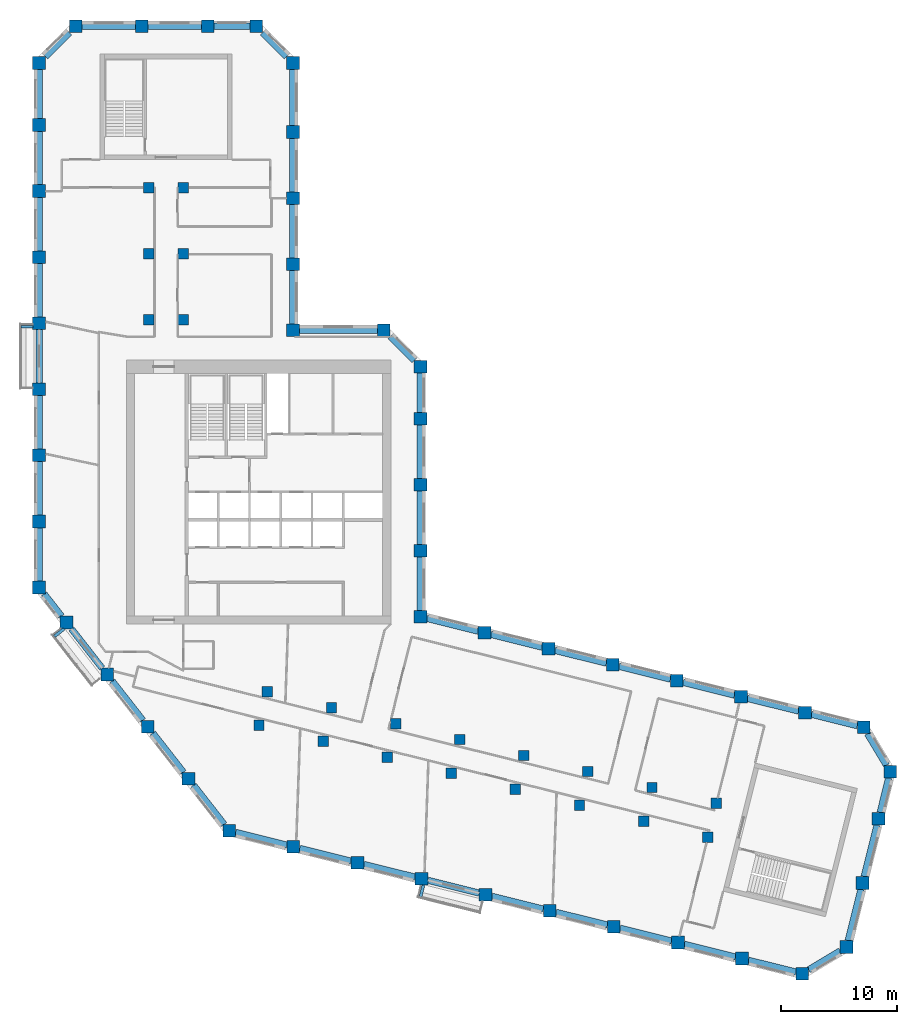
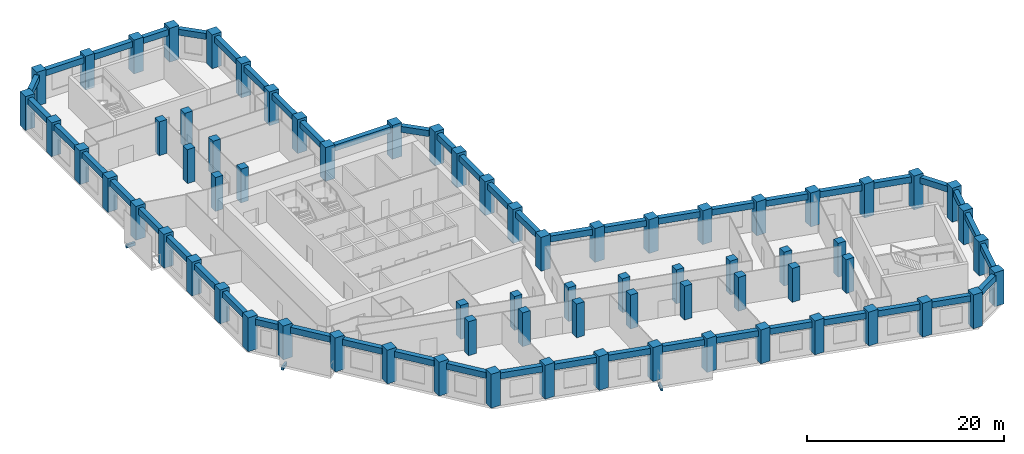
# One storey, part 1 of 10: 71 columns, 52 beams.
"""IFC4 building model written with IfcOpenShell, lengths in metres."""

from ifc_helpers import new_model, si_unit, direction, frame, origin, origin_2d, place, context, subcontext, project, spatial, rectangle, extrude, material, material_profile, profile_set, type_object, element, save


model = new_model("IFC4")

# Units and contexts
model_context = context("Model", 3, precision=1e-05, world=origin(), true_north=direction((0.0, 1.0)))
body_context = subcontext(model_context, "Body", "Model", "MODEL_VIEW")
ifc_project = project(units=[si_unit("LENGTHUNIT", "METRE"), si_unit("AREAUNIT", "SQUARE_METRE"), si_unit("VOLUMEUNIT", "CUBIC_METRE"), si_unit("PLANEANGLEUNIT", "RADIAN"), si_unit("MASSUNIT", "GRAM", prefix="KILO")], contexts=[model_context])

# Site, building, storey
site_placement = place(None, origin())
site = spatial("IfcSite", under=ifc_project, at=site_placement, CompositionType="ELEMENT")
building_placement = place(site_placement, origin())
building = spatial("IfcBuilding", under=site, at=building_placement, Name="Meshkara Civic Tower", CompositionType="ELEMENT")
storey_placement = place(building_placement, frame((0.0, 0.0, 255.0)))
storey = spatial("IfcBuildingStorey", under=building, at=storey_placement, Name="L58", CompositionType="ELEMENT", Elevation=255.0)

# Columns
ifc_material_1 = material(Name="Concrete C60", Category="concrete")
ifc_material_profile_1 = material_profile(ifc_material_1, rectangle(XDim=0.89990234375, YDim=0.89990234375, at=origin_2d()))
ifc_profile_set_1 = profile_set([ifc_material_profile_1], Name="Concrete C60")
column_type_1 = type_object("IfcColumnType", Name="Interior column RC 900x900 C60", PredefinedType="COLUMN", material=ifc_profile_set_1)
for number, where, z_axis, x_axis, name in (
    (1, (9.89990234375, 40.35009765625, 0.0), (0.0, 0.0, 1.0), (1.0, 0.0, 0.0), "Column SA1-04 L58"),
    (2, (9.89990234375, 46.050048828125, 0.0), (0.0, 0.0, 1.0), (1.0, 0.0, 0.0), "Column SA1-05 L58"),
    (3, (9.89990234375, 51.75, 0.0), (0.0, 0.0, 1.0), (1.0, 0.0, 0.0), "Column SA1-06 L58"),
    (4, (12.89990234375, 40.35009765625, 0.0), (0.0, 0.0, 1.0), (1.0, 0.0, 0.0), "Column SA2-04 L58"),
    (5, (12.89990234375, 46.050048828125, 0.0), (0.0, 0.0, 1.0), (1.0, 0.0, 0.0), "Column SA2-05 L58"),
    (6, (12.89990234375, 51.75, 0.0), (0.0, 0.0, 1.0), (1.0, 0.0, 0.0), "Column SA2-06 L58"),
    (7, (19.424072265625, 5.360107421875, 0.0), (0.0, 0.0, 1.0), (1.0, 0.0, 0.0), "Column SB1-00 L58"),
    (8, (24.9541015625, 3.98095703125, 0.0), (0.0, 0.0, 1.0), (1.0, 0.0, 0.0), "Column SB1-01 L58"),
    (9, (30.485107421875, 2.60205078125, 0.0), (0.0, 0.0, 1.0), (1.0, 0.0, 0.0), "Column SB1-02 L58"),
    (10, (36.01611328125, 1.222900390625, 0.0), (0.0, 0.0, 1.0), (1.0, 0.0, 0.0), "Column SB1-03 L58"),
    (11, (41.5458984375, -0.156005859375, 0.0), (0.0, 0.0, 1.0), (1.0, 0.0, 0.0), "Column SB1-04 L58"),
    (12, (47.076904296875, -1.534912109375, 0.0), (0.0, 0.0, 1.0), (1.0, 0.0, 0.0), "Column SB1-05 L58"),
    (13, (52.60791015625, -2.9140625, 0.0), (0.0, 0.0, 1.0), (1.0, 0.0, 0.0), "Column SB1-06 L58"),
    (14, (58.138916015625, -4.2919921875, 0.0), (0.0, 0.0, 1.0), (1.0, 0.0, 0.0), "Column SB1-07 L58"),
    (15, (20.14892578125, 8.27099609375, 0.0), (0.0, 0.0, 1.0), (1.0, 0.0, 0.0), "Column SB2-00 L58"),
    (16, (25.679931640625, 6.89208984375, 0.0), (0.0, 0.0, 1.0), (1.0, 0.0, 0.0), "Column SB2-01 L58"),
    (17, (31.2109375, 5.512939453125, 0.0), (0.0, 0.0, 1.0), (1.0, 0.0, 0.0), "Column SB2-02 L58"),
    (18, (36.741943359375, 4.134033203125, 0.0), (0.0, 0.0, 1.0), (1.0, 0.0, 0.0), "Column SB2-03 L58"),
    (19, (42.27197265625, 2.7548828125, 0.0), (0.0, 0.0, 1.0), (1.0, 0.0, 0.0), "Column SB2-04 L58"),
    (20, (47.802978515625, 1.3759765625, 0.0), (0.0, 0.0, 1.0), (1.0, 0.0, 0.0), "Column SB2-05 L58"),
    (21, (53.333984375, -0.0029296875, 0.0), (0.0, 0.0, 1.0), (1.0, 0.0, 0.0), "Column SB2-06 L58"),
    (22, (58.864013671875, -1.382080078125, 0.0), (0.0, 0.0, 1.0), (1.0, 0.0, 0.0), "Column SB2-07 L58"),
):
    element("IfcColumn", number, at=place(storey_placement, frame(where, z_axis=z_axis, x_axis=x_axis)), inside=storey, type_object=column_type_1, Name=name, PredefinedType="COLUMN", context=body_context, shape_type="SweptSolid", body=[
        extrude(rectangle(XDim=0.89990234375, YDim=0.89990234375, at=origin_2d()), origin(), (0.0, 0.0, 1.0), 4.199951171875),
    ])
ifc_material_2 = material(Name="Concrete C60", Category="concrete")
ifc_material_profile_2 = material_profile(ifc_material_2, rectangle(XDim=1.10009765625, YDim=1.10009765625, at=origin_2d()))
ifc_profile_set_2 = profile_set([ifc_material_profile_2], Name="Concrete C60")
column_type_2 = type_object("IfcColumnType", Name="Perimeter column RC 1100x1100 C60", PredefinedType="COLUMN", material=ifc_profile_set_2)
for number, where, z_axis, x_axis, name in (
    (23, (33.35009765625, 14.718994140625, 0.0), (0.0, 0.0, 1.0), (1.0, 0.0, 0.0), "Column HE00 L58"),
    (24, (33.35009765625, 20.4189453125, 0.0), (0.0, 0.0, 1.0), (1.0, 0.0, 0.0), "Column HE01 L58"),
    (25, (33.35009765625, 26.118896484375, 0.0), (0.0, 0.0, 1.0), (1.0, 0.0, 0.0), "Column HE02 L58"),
    (26, (33.35009765625, 31.819091796875, 0.0), (0.0, 0.0, 1.0), (1.0, 0.0, 0.0), "Column HE03 L58"),
    (27, (33.35009765625, 36.2939453125, 0.0), (0.0, 0.0, 1.0), (1.0, 0.0, 0.0), "Column HEE L58"),
    (28, (30.194091796875, 39.449951171875, 0.0), (0.0, 0.0, 1.0), (1.0, 0.0, 0.0), "Column HCeE L58"),
    (29, (22.35009765625, 39.449951171875, 0.0), (0.0, 0.0, 1.0), (1.0, 0.0, 0.0), "Column HN00 L58"),
    (30, (22.35009765625, 45.14990234375, 0.0), (0.0, 0.0, 1.0), (1.0, 0.0, 0.0), "Column AE01 L58"),
    (31, (22.35009765625, 50.85009765625, 0.0), (0.0, 0.0, 1.0), (1.0, 0.0, 0.0), "Column AE02 L58"),
    (32, (22.35009765625, 56.550048828125, 0.0), (0.0, 0.0, 1.0), (1.0, 0.0, 0.0), "Column AE03 L58"),
    (33, (22.35009765625, 62.513916015625, 0.0), (0.0, 0.0, 1.0), (1.0, 0.0, 0.0), "Column AEEP3 L58"),
    (34, (19.194091796875, 65.669921875, 0.0), (0.0, 0.0, 1.0), (1.0, 0.0, 0.0), "Column ATiEP3 L58"),
    (35, (3.60595703125, 65.669921875, 0.0), (0.0, 0.0, 1.0), (1.0, 0.0, 0.0), "Column AT00-P3 L58"),
    (36, (9.305908203125, 65.669921875, 0.0), (0.0, 0.0, 1.0), (1.0, 0.0, 0.0), "Column AT01-P3 L58"),
    (37, (15.006103515625, 65.669921875, 0.0), (0.0, 0.0, 1.0), (1.0, 0.0, 0.0), "Column AT02-P3 L58"),
    (38, (0.449951171875, 62.513916015625, 0.0), (0.0, 0.0, 1.0), (1.0, 0.0, 0.0), "Column ATo00-P3 L58"),
    (39, (0.449951171875, 17.2548828125, 0.0), (0.0, 0.0, 1.0), (1.0, 0.0, 0.0), "Column AW00 L58"),
    (40, (0.449951171875, 22.955078125, 0.0), (0.0, 0.0, 1.0), (1.0, 0.0, 0.0), "Column AW01 L58"),
    (41, (0.449951171875, 28.655029296875, 0.0), (0.0, 0.0, 1.0), (1.0, 0.0, 0.0), "Column AW02 L58"),
    (42, (0.449951171875, 34.35498046875, 0.0), (0.0, 0.0, 1.0), (1.0, 0.0, 0.0), "Column AW03 L58"),
    (43, (0.449951171875, 40.054931640625, 0.0), (0.0, 0.0, 1.0), (1.0, 0.0, 0.0), "Column AW04 L58"),
    (44, (0.449951171875, 45.7548828125, 0.0), (0.0, 0.0, 1.0), (1.0, 0.0, 0.0), "Column AW05 L58"),
    (45, (0.449951171875, 51.455078125, 0.0), (0.0, 0.0, 1.0), (1.0, 0.0, 0.0), "Column AW06 L58"),
    (46, (0.449951171875, 57.155029296875, 0.0), (0.0, 0.0, 1.0), (1.0, 0.0, 0.0), "Column AW07 L58"),
    (47, (16.85107421875, -3.738037109375, 0.0), (0.0, 0.0, 1.0), (1.0, 0.0, 0.0), "Column BOW00 L58"),
    (48, (13.342041015625, 0.75390625, 0.0), (0.0, 0.0, 1.0), (1.0, 0.0, 0.0), "Column BOW01 L58"),
    (49, (9.8330078125, 5.2451171875, 0.0), (0.0, 0.0, 1.0), (1.0, 0.0, 0.0), "Column BOW02 L58"),
    (50, (6.322998046875, 9.737060546875, 0.0), (0.0, 0.0, 1.0), (1.0, 0.0, 0.0), "Column BOW03 L58"),
    (51, (2.81396484375, 14.22900390625, 0.0), (0.0, 0.0, 1.0), (1.0, 0.0, 0.0), "Column BOW04 L58"),
    (52, (22.382080078125, -5.116943359375, 0.0), (0.0, 0.0, 1.0), (1.0, 0.0, 0.0), "Column BS01 L58"),
    (53, (27.912109375, -6.49609375, 0.0), (0.0, 0.0, 1.0), (1.0, 0.0, 0.0), "Column BS02 L58"),
    (54, (33.443115234375, -7.875, 0.0), (0.0, 0.0, 1.0), (1.0, 0.0, 0.0), "Column BS03 L58"),
    (55, (38.97412109375, -9.2529296875, 0.0), (0.0, 0.0, 1.0), (1.0, 0.0, 0.0), "Column BS04-P1 L58"),
    (56, (44.5048828125, -10.632080078125, 0.0), (0.0, 0.0, 1.0), (1.0, 0.0, 0.0), "Column BS05 L58"),
    (57, (50.034912109375, -12.010986328125, 0.0), (0.0, 0.0, 1.0), (1.0, 0.0, 0.0), "Column BS06 L58"),
    (58, (55.56591796875, -13.389892578125, 0.0), (0.0, 0.0, 1.0), (1.0, 0.0, 0.0), "Column BS07 L58"),
    (59, (61.096923828125, -14.76904296875, 0.0), (0.0, 0.0, 1.0), (1.0, 0.0, 0.0), "Column BS08 L58"),
    (60, (66.2958984375, -16.06494140625, 0.0), (0.0, 0.0, 1.0), (1.0, 0.0, 0.0), "Column BSEP3 L58"),
    (61, (70.1220703125, -13.76611328125, 0.0), (0.0, 0.0, 1.0), (1.0, 0.0, 0.0), "Column BToEP3 L58"),
    (62, (71.5009765625, -8.235107421875, 0.0), (0.0, 0.0, 1.0), (1.0, 0.0, 0.0), "Column BT01-P3 L58"),
    (63, (72.8798828125, -2.705078125, 0.0), (0.0, 0.0, 1.0), (1.0, 0.0, 0.0), "Column BT02-P3 L58"),
    (64, (73.89306640625, 1.35791015625, 0.0), (0.0, 0.0, 1.0), (1.0, 0.0, 0.0), "Column BTEP3 L58"),
    (65, (71.593994140625, 5.18310546875, 0.0), (0.0, 0.0, 1.0), (1.0, 0.0, 0.0), "Column BTi00-P3 L58"),
    (66, (38.881103515625, 13.340087890625, 0.0), (0.0, 0.0, 1.0), (1.0, 0.0, 0.0), "Column BN01 L58"),
    (67, (44.410888671875, 11.9609375, 0.0), (0.0, 0.0, 1.0), (1.0, 0.0, 0.0), "Column BN02 L58"),
    (68, (49.94189453125, 10.58203125, 0.0), (0.0, 0.0, 1.0), (1.0, 0.0, 0.0), "Column BN03 L58"),
    (69, (55.472900390625, 9.202880859375, 0.0), (0.0, 0.0, 1.0), (1.0, 0.0, 0.0), "Column BN04 L58"),
    (70, (61.0029296875, 7.823974609375, 0.0), (0.0, 0.0, 1.0), (1.0, 0.0, 0.0), "Column BN05 L58"),
    (71, (66.533935546875, 6.445068359375, 0.0), (0.0, 0.0, 1.0), (1.0, 0.0, 0.0), "Column BN06 L58"),
):
    element("IfcColumn", number, at=place(storey_placement, frame(where, z_axis=z_axis, x_axis=x_axis)), inside=storey, type_object=column_type_2, Name=name, PredefinedType="COLUMN", context=body_context, shape_type="SweptSolid", body=[
        extrude(rectangle(XDim=1.10009765625, YDim=1.10009765625, at=origin_2d()), origin(), (0.0, 0.0, 1.0), 4.199951171875),
    ])

# Beams
ifc_material_3 = material(Name="Concrete C50", Category="concrete")
ifc_material_profile_3 = material_profile(ifc_material_3, rectangle(XDim=0.25, YDim=0.39990234375, at=origin_2d()))
ifc_profile_set_3 = profile_set([ifc_material_profile_3], Name="Concrete C50")
beam_type_1 = type_object("IfcBeamType", Name="Balcony bracket beam RC 250x400 C50", PredefinedType="BEAM", material=ifc_profile_set_3)
beam_1_placement = place(storey_placement, frame((-0.094970703125, 39.7548828125, -0.5), z_axis=(-1.0, 0.0, 0.0), x_axis=(0.0, -1.0, 0.0)))
element("IfcBeam", 72, at=beam_1_placement, inside=storey, type_object=beam_type_1, Name="Balcony bracket beam", PredefinedType="BEAM", context=body_context, shape_type="SweptSolid", body=[
    extrude(rectangle(XDim=0.25, YDim=0.39990234375, at=origin_2d()), origin(), (0.0, 0.0, 1.0), 1.005126953125),
])
beam_2_placement = place(storey_placement, frame((2.60107421875, 13.681884765625, -0.5), z_axis=(-0.787992515281, -0.615684818606, 0.0), x_axis=(0.615684818606, -0.787992515281, 0.0)))
element("IfcBeam", 73, at=beam_2_placement, inside=storey, type_object=beam_type_1, Name="Balcony bracket beam", PredefinedType="BEAM", context=body_context, shape_type="SweptSolid", body=[
    extrude(rectangle(XDim=0.25, YDim=0.39990234375, at=origin_2d()), origin(), (0.0, 0.0, 1.0), 1.045654296875),
])
beam_3_placement = place(storey_placement, frame((33.615966796875, -8.419921875, -0.5), z_axis=(-0.241940897637, -0.970290988338, 0.0), x_axis=(0.970290988338, -0.241940897637, 0.0)))
element("IfcBeam", 74, at=beam_3_placement, inside=storey, type_object=beam_type_1, Name="Balcony bracket beam", PredefinedType="BEAM", context=body_context, shape_type="SweptSolid", body=[
    extrude(rectangle(XDim=0.25, YDim=0.39990234375, at=origin_2d()), origin(), (0.0, 0.0, 1.0), 1.0625),
])
ifc_material_4 = material(Name="Concrete C60", Category="concrete")
ifc_material_profile_4 = material_profile(ifc_material_4, rectangle(XDim=0.550048828125, YDim=0.75, at=origin_2d()))
ifc_profile_set_4 = profile_set([ifc_material_profile_4], Name="Concrete C60")
beam_type_2 = type_object("IfcBeamType", Name="Spandrel beam RC 550x750 C60", PredefinedType="BEAM", material=ifc_profile_set_4)
beam_4_placement = place(storey_placement, frame((65.989013671875, 6.580810546875, 3.52490234375), z_axis=(-0.970299186733, 0.241908016044, 0.0), x_axis=(-0.241908016044, -0.970299186733, 0.0)))
element("IfcBeam", 75, at=beam_4_placement, inside=storey, type_object=beam_type_2, Name="Spandrel beam BN05-BN06", PredefinedType="BEAM", context=body_context, shape_type="SweptSolid", body=[
    extrude(rectangle(XDim=0.550048828125, YDim=0.75, at=origin_2d()), origin(), (0.0, 0.0, 1.0), 4.576904296875),
])
beam_5_placement = place(storey_placement, frame((60.4580078125, 7.9599609375, 3.52490234375), z_axis=(-0.970286696562, 0.241958108925, 0.0), x_axis=(-0.241958108925, -0.970286696562, 0.0)))
element("IfcBeam", 76, at=beam_5_placement, inside=storey, type_object=beam_type_2, Name="Spandrel beam BN04-BN05", PredefinedType="BEAM", context=body_context, shape_type="SweptSolid", body=[
    extrude(rectangle(XDim=0.550048828125, YDim=0.75, at=origin_2d()), origin(), (0.0, 0.0, 1.0), 4.575927734375),
])
for number, where, z_axis, x_axis, name in (
    (77, (54.927978515625, 9.3388671875, 3.52490234375), (-0.970299186733, 0.241908016044, 0.0), (-0.241908016044, -0.970299186733, 0.0), "Spandrel beam BN03-BN04"),
    (78, (49.39697265625, 10.718017578125, 3.52490234375), (-0.970299186733, 0.241908016044, 0.0), (-0.241908016044, -0.970299186733, 0.0), "Spandrel beam BN02-BN03"),
):
    element("IfcBeam", number, at=place(storey_placement, frame(where, z_axis=z_axis, x_axis=x_axis)), inside=storey, type_object=beam_type_2, Name=name, PredefinedType="BEAM", context=body_context, shape_type="SweptSolid", body=[
        extrude(rectangle(XDim=0.550048828125, YDim=0.75, at=origin_2d()), origin(), (0.0, 0.0, 1.0), 4.576904296875),
    ])
beam_6_placement = place(storey_placement, frame((43.865966796875, 12.096923828125, 3.52490234375), z_axis=(-0.970286696562, 0.241958108925, 0.0), x_axis=(-0.241958108925, -0.970286696562, 0.0)))
element("IfcBeam", 79, at=beam_6_placement, inside=storey, type_object=beam_type_2, Name="Spandrel beam BN01-BN02", PredefinedType="BEAM", context=body_context, shape_type="SweptSolid", body=[
    extrude(rectangle(XDim=0.550048828125, YDim=0.75, at=origin_2d()), origin(), (0.0, 0.0, 1.0), 4.575927734375),
])
beam_7_placement = place(storey_placement, frame((38.3359375, 13.475830078125, 3.52490234375), z_axis=(-0.970299186733, 0.241908016044, 0.0), x_axis=(-0.241908016044, -0.970299186733, 0.0)))
element("IfcBeam", 80, at=beam_7_placement, inside=storey, type_object=beam_type_2, Name="Spandrel beam BN01-HE00", PredefinedType="BEAM", context=body_context, shape_type="SweptSolid", body=[
    extrude(rectangle(XDim=0.550048828125, YDim=0.75, at=origin_2d()), origin(), (0.0, 0.0, 1.0), 4.576904296875),
])
beam_8_placement = place(storey_placement, frame((33.35009765625, 15.263916015625, 3.52490234375), z_axis=(0.0, 1.0, 0.0), x_axis=(-1.0, 0.0, 0.0)))
element("IfcBeam", 81, at=beam_8_placement, inside=storey, type_object=beam_type_2, Name="Spandrel beam HE00-HE01", PredefinedType="BEAM", context=body_context, shape_type="SweptSolid", body=[
    extrude(rectangle(XDim=0.550048828125, YDim=0.75, at=origin_2d()), origin(), (0.0, 0.0, 1.0), 4.610107421875),
])
for number, where, z_axis, x_axis, name in (
    (82, (33.35009765625, 20.964111328125, 3.52490234375), (0.0, 1.0, 0.0), (-1.0, 0.0, 0.0), "Spandrel beam HE01-HE02"),
    (83, (33.35009765625, 26.6640625, 3.52490234375), (0.0, 1.0, 0.0), (-1.0, 0.0, 0.0), "Spandrel beam HE02-HE03"),
):
    element("IfcBeam", number, at=place(storey_placement, frame(where, z_axis=z_axis, x_axis=x_axis)), inside=storey, type_object=beam_type_2, Name=name, PredefinedType="BEAM", context=body_context, shape_type="SweptSolid", body=[
        extrude(rectangle(XDim=0.550048828125, YDim=0.75, at=origin_2d()), origin(), (0.0, 0.0, 1.0), 4.60986328125),
    ])
beam_9_placement = place(storey_placement, frame((33.35009765625, 32.364013671875, 3.52490234375), z_axis=(0.0, 1.0, 0.0), x_axis=(-1.0, 0.0, 0.0)))
element("IfcBeam", 84, at=beam_9_placement, inside=storey, type_object=beam_type_2, Name="Spandrel beam HE03-HEE", PredefinedType="BEAM", context=body_context, shape_type="SweptSolid", body=[
    extrude(rectangle(XDim=0.550048828125, YDim=0.75, at=origin_2d()), origin(), (0.0, 0.0, 1.0), 3.385009765625),
])
beam_10_placement = place(storey_placement, frame((32.803466796875, 36.840576171875, 3.52490234375), z_axis=(-0.707106781187, 0.707106781187, 0.0), x_axis=(-0.707106781187, -0.707106781187, 0.0)))
element("IfcBeam", 85, at=beam_10_placement, inside=storey, type_object=beam_type_2, Name="Spandrel beam HCeE-HEE", PredefinedType="BEAM", context=body_context, shape_type="SweptSolid", body=[
    extrude(rectangle(XDim=0.550048828125, YDim=0.75, at=origin_2d()), origin(), (0.0, 0.0, 1.0), 2.91748046875),
])
beam_11_placement = place(storey_placement, frame((29.64892578125, 39.449951171875, 3.52490234375), z_axis=(-1.0, 0.0, 0.0), x_axis=(0.0, -1.0, 0.0)))
element("IfcBeam", 86, at=beam_11_placement, inside=storey, type_object=beam_type_2, Name="Spandrel beam HCeE-HN00", PredefinedType="BEAM", context=body_context, shape_type="SweptSolid", body=[
    extrude(rectangle(XDim=0.550048828125, YDim=0.75, at=origin_2d()), origin(), (0.0, 0.0, 1.0), 6.75390625),
])
for number, where, z_axis, x_axis, name in (
    (87, (22.35009765625, 39.9951171875, 3.52490234375), (0.0, 1.0, 0.0), (-1.0, 0.0, 0.0), "Spandrel beam AE01-HN00"),
    (88, (22.35009765625, 45.695068359375, 3.52490234375), (0.0, 1.0, 0.0), (-1.0, 0.0, 0.0), "Spandrel beam AE01-AE02"),
    (89, (22.35009765625, 51.39501953125, 3.52490234375), (0.0, 1.0, 0.0), (-1.0, 0.0, 0.0), "Spandrel beam AE02-AE03"),
):
    element("IfcBeam", number, at=place(storey_placement, frame(where, z_axis=z_axis, x_axis=x_axis)), inside=storey, type_object=beam_type_2, Name=name, PredefinedType="BEAM", context=body_context, shape_type="SweptSolid", body=[
        extrude(rectangle(XDim=0.550048828125, YDim=0.75, at=origin_2d()), origin(), (0.0, 0.0, 1.0), 4.60986328125),
    ])
beam_12_placement = place(storey_placement, frame((22.35009765625, 57.094970703125, 3.52490234375), z_axis=(0.0, 1.0, 0.0), x_axis=(-1.0, 0.0, 0.0)))
element("IfcBeam", 90, at=beam_12_placement, inside=storey, type_object=beam_type_2, Name="Spandrel beam AE03-AEEP3", PredefinedType="BEAM", context=body_context, shape_type="SweptSolid", body=[
    extrude(rectangle(XDim=0.550048828125, YDim=0.75, at=origin_2d()), origin(), (0.0, 0.0, 1.0), 4.8740234375),
])
beam_13_placement = place(storey_placement, frame((21.803466796875, 63.060546875, 3.52490234375), z_axis=(-0.707106781187, 0.707106781187, 0.0), x_axis=(-0.707106781187, -0.707106781187, 0.0)))
element("IfcBeam", 91, at=beam_13_placement, inside=storey, type_object=beam_type_2, Name="Spandrel beam AEEP3-ATiEP3", PredefinedType="BEAM", context=body_context, shape_type="SweptSolid", body=[
    extrude(rectangle(XDim=0.550048828125, YDim=0.75, at=origin_2d()), origin(), (0.0, 0.0, 1.0), 2.91748046875),
])
beam_14_placement = place(storey_placement, frame((18.64892578125, 65.669921875, 3.52490234375), z_axis=(-1.0, 0.0, 0.0), x_axis=(0.0, -1.0, 0.0)))
element("IfcBeam", 92, at=beam_14_placement, inside=storey, type_object=beam_type_2, Name="Spandrel beam AT02-P3-ATiEP3", PredefinedType="BEAM", context=body_context, shape_type="SweptSolid", body=[
    extrude(rectangle(XDim=0.550048828125, YDim=0.75, at=origin_2d()), origin(), (0.0, 0.0, 1.0), 3.097900390625),
])
beam_15_placement = place(storey_placement, frame((14.4609375, 65.669921875, 3.52490234375), z_axis=(-1.0, 0.0, 0.0), x_axis=(0.0, -1.0, 0.0)))
element("IfcBeam", 93, at=beam_15_placement, inside=storey, type_object=beam_type_2, Name="Spandrel beam AT01-P3-AT02-P3", PredefinedType="BEAM", context=body_context, shape_type="SweptSolid", body=[
    extrude(rectangle(XDim=0.550048828125, YDim=0.75, at=origin_2d()), origin(), (0.0, 0.0, 1.0), 4.60986328125),
])
beam_16_placement = place(storey_placement, frame((8.760986328125, 65.669921875, 3.52490234375), z_axis=(-1.0, 0.0, 0.0), x_axis=(0.0, -1.0, 0.0)))
element("IfcBeam", 94, at=beam_16_placement, inside=storey, type_object=beam_type_2, Name="Spandrel beam AT00-P3-AT01-P3", PredefinedType="BEAM", context=body_context, shape_type="SweptSolid", body=[
    extrude(rectangle(XDim=0.550048828125, YDim=0.75, at=origin_2d()), origin(), (0.0, 0.0, 1.0), 4.610107421875),
])
beam_17_placement = place(storey_placement, frame((3.0595703125, 65.12353515625, 3.52490234375), z_axis=(-0.707106781187, -0.707106781187, 0.0), x_axis=(0.707106781187, -0.707106781187, 0.0)))
element("IfcBeam", 95, at=beam_17_placement, inside=storey, type_object=beam_type_2, Name="Spandrel beam AT00-P3-ATo00-P3", PredefinedType="BEAM", context=body_context, shape_type="SweptSolid", body=[
    extrude(rectangle(XDim=0.550048828125, YDim=0.75, at=origin_2d()), origin(), (0.0, 0.0, 1.0), 2.91748046875),
])
beam_18_placement = place(storey_placement, frame((0.449951171875, 61.968994140625, 3.52490234375), z_axis=(0.0, -1.0, 0.0), x_axis=(1.0, 0.0, 0.0)))
element("IfcBeam", 96, at=beam_18_placement, inside=storey, type_object=beam_type_2, Name="Spandrel beam ATo00-P3-AW07", PredefinedType="BEAM", context=body_context, shape_type="SweptSolid", body=[
    extrude(rectangle(XDim=0.550048828125, YDim=0.75, at=origin_2d()), origin(), (0.0, 0.0, 1.0), 4.26904296875),
])
beam_19_placement = place(storey_placement, frame((0.449951171875, 56.610107421875, 3.52490234375), z_axis=(0.0, -1.0, 0.0), x_axis=(1.0, 0.0, 0.0)))
element("IfcBeam", 97, at=beam_19_placement, inside=storey, type_object=beam_type_2, Name="Spandrel beam AW06-AW07", PredefinedType="BEAM", context=body_context, shape_type="SweptSolid", body=[
    extrude(rectangle(XDim=0.550048828125, YDim=0.75, at=origin_2d()), origin(), (0.0, 0.0, 1.0), 4.610107421875),
])
for number, where, z_axis, x_axis, name in (
    (98, (0.449951171875, 50.909912109375, 3.52490234375), (0.0, -1.0, 0.0), (1.0, 0.0, 0.0), "Spandrel beam AW05-AW06"),
    (99, (0.449951171875, 45.2099609375, 3.52490234375), (0.0, -1.0, 0.0), (1.0, 0.0, 0.0), "Spandrel beam AW04-AW05"),
):
    element("IfcBeam", number, at=place(storey_placement, frame(where, z_axis=z_axis, x_axis=x_axis)), inside=storey, type_object=beam_type_2, Name=name, PredefinedType="BEAM", context=body_context, shape_type="SweptSolid", body=[
        extrude(rectangle(XDim=0.550048828125, YDim=0.75, at=origin_2d()), origin(), (0.0, 0.0, 1.0), 4.60986328125),
    ])
for number, where, z_axis, x_axis, name in (
    (100, (0.449951171875, 39.510009765625, 3.52490234375), (0.0, -1.0, 0.0), (1.0, 0.0, 0.0), "Spandrel beam AW03-AW04"),
    (101, (0.449951171875, 33.81005859375, 3.52490234375), (0.0, -1.0, 0.0), (1.0, 0.0, 0.0), "Spandrel beam AW02-AW03"),
    (102, (0.449951171875, 28.110107421875, 3.52490234375), (0.0, -1.0, 0.0), (1.0, 0.0, 0.0), "Spandrel beam AW01-AW02"),
):
    element("IfcBeam", number, at=place(storey_placement, frame(where, z_axis=z_axis, x_axis=x_axis)), inside=storey, type_object=beam_type_2, Name=name, PredefinedType="BEAM", context=body_context, shape_type="SweptSolid", body=[
        extrude(rectangle(XDim=0.550048828125, YDim=0.75, at=origin_2d()), origin(), (0.0, 0.0, 1.0), 4.610107421875),
    ])
beam_20_placement = place(storey_placement, frame((0.449951171875, 22.409912109375, 3.52490234375), z_axis=(0.0, -1.0, 0.0), x_axis=(1.0, 0.0, 0.0)))
element("IfcBeam", 103, at=beam_20_placement, inside=storey, type_object=beam_type_2, Name="Spandrel beam AW00-AW01", PredefinedType="BEAM", context=body_context, shape_type="SweptSolid", body=[
    extrude(rectangle(XDim=0.550048828125, YDim=0.75, at=origin_2d()), origin(), (0.0, 0.0, 1.0), 4.60986328125),
])
beam_21_placement = place(storey_placement, frame((0.876708984375, 16.708984375, 3.52490234375), z_axis=(0.615626666257, -0.788037948194, 0.0), x_axis=(0.788037948194, 0.615626666257, 0.0)))
element("IfcBeam", 104, at=beam_21_placement, inside=storey, type_object=beam_type_2, Name="Spandrel beam AW00-BOW04", PredefinedType="BEAM", context=body_context, shape_type="SweptSolid", body=[
    extrude(rectangle(XDim=0.550048828125, YDim=0.75, at=origin_2d()), origin(), (0.0, 0.0, 1.0), 2.4541015625),
])
beam_22_placement = place(storey_placement, frame((3.240478515625, 13.682861328125, 3.52490234375), z_axis=(0.615647336498, -0.788021799865, 0.0), x_axis=(0.788021799865, 0.615647336498, 0.0)))
element("IfcBeam", 105, at=beam_22_placement, inside=storey, type_object=beam_type_2, Name="Spandrel beam BOW03-BOW04", PredefinedType="BEAM", context=body_context, shape_type="SweptSolid", body=[
    extrude(rectangle(XDim=0.550048828125, YDim=0.75, at=origin_2d()), origin(), (0.0, 0.0, 1.0), 4.314208984375),
])
beam_23_placement = place(storey_placement, frame((6.749755859375, 9.19091796875, 3.52490234375), z_axis=(0.615690159083, -0.787988342559, 0.0), x_axis=(0.787988342559, 0.615690159083, 0.0)))
element("IfcBeam", 106, at=beam_23_placement, inside=storey, type_object=beam_type_2, Name="Spandrel beam BOW02-BOW03", PredefinedType="BEAM", context=body_context, shape_type="SweptSolid", body=[
    extrude(rectangle(XDim=0.550048828125, YDim=0.75, at=origin_2d()), origin(), (0.0, 0.0, 1.0), 4.314697265625),
])
beam_24_placement = place(storey_placement, frame((10.259765625, 4.698974609375, 3.52490234375), z_axis=(0.615659419462, -0.788012359819, 0.0), x_axis=(0.788012359819, 0.615659419462, 0.0)))
element("IfcBeam", 107, at=beam_24_placement, inside=storey, type_object=beam_type_2, Name="Spandrel beam BOW01-BOW02", PredefinedType="BEAM", context=body_context, shape_type="SweptSolid", body=[
    extrude(rectangle(XDim=0.550048828125, YDim=0.75, at=origin_2d()), origin(), (0.0, 0.0, 1.0), 4.313232421875),
])
beam_25_placement = place(storey_placement, frame((13.7685546875, 0.2080078125, 3.52490234375), z_axis=(0.615584739249, -0.788070700384, 0.0), x_axis=(0.788070700384, 0.615584739249, 0.0)))
element("IfcBeam", 108, at=beam_25_placement, inside=storey, type_object=beam_type_2, Name="Spandrel beam BOW00-BOW01", PredefinedType="BEAM", context=body_context, shape_type="SweptSolid", body=[
    extrude(rectangle(XDim=0.550048828125, YDim=0.75, at=origin_2d()), origin(), (0.0, 0.0, 1.0), 4.314208984375),
])
beam_26_placement = place(storey_placement, frame((17.39599609375, -3.873779296875, 3.52490234375), z_axis=(0.970286664886, -0.24195823595, 0.0), x_axis=(0.24195823595, 0.970286664886, 0.0)))
element("IfcBeam", 109, at=beam_26_placement, inside=storey, type_object=beam_type_2, Name="Spandrel beam BOW00-BS01", PredefinedType="BEAM", context=body_context, shape_type="SweptSolid", body=[
    extrude(rectangle(XDim=0.550048828125, YDim=0.75, at=origin_2d()), origin(), (0.0, 0.0, 1.0), 4.576904296875),
])
beam_27_placement = place(storey_placement, frame((22.927001953125, -5.2529296875, 3.52490234375), z_axis=(0.970286696562, -0.241958108925, 0.0), x_axis=(0.241958108925, 0.970286696562, 0.0)))
element("IfcBeam", 110, at=beam_27_placement, inside=storey, type_object=beam_type_2, Name="Spandrel beam BS01-BS02", PredefinedType="BEAM", context=body_context, shape_type="SweptSolid", body=[
    extrude(rectangle(XDim=0.550048828125, YDim=0.75, at=origin_2d()), origin(), (0.0, 0.0, 1.0), 4.575927734375),
])
beam_28_placement = place(storey_placement, frame((28.45703125, -6.6318359375, 3.52490234375), z_axis=(0.970299186733, -0.241908016044, 0.0), x_axis=(0.241908016044, 0.970299186733, 0.0)))
element("IfcBeam", 111, at=beam_28_placement, inside=storey, type_object=beam_type_2, Name="Spandrel beam BS02-BS03", PredefinedType="BEAM", context=body_context, shape_type="SweptSolid", body=[
    extrude(rectangle(XDim=0.550048828125, YDim=0.75, at=origin_2d()), origin(), (0.0, 0.0, 1.0), 4.576904296875),
])
beam_29_placement = place(storey_placement, frame((33.988037109375, -8.0107421875, 3.52490234375), z_axis=(0.970336738613, -0.241757344662, 0.0), x_axis=(0.241757344662, 0.970336738613, 0.0)))
element("IfcBeam", 112, at=beam_29_placement, inside=storey, type_object=beam_type_2, Name="Spandrel beam BS03-BS04-P1", PredefinedType="BEAM", context=body_context, shape_type="SweptSolid", body=[
    extrude(rectangle(XDim=0.550048828125, YDim=0.75, at=origin_2d()), origin(), (0.0, 0.0, 1.0), 4.57666015625),
])
beam_30_placement = place(storey_placement, frame((39.51904296875, -9.388916015625, 3.52490234375), z_axis=(0.970299186733, -0.241908016044, 0.0), x_axis=(0.241908016044, 0.970299186733, 0.0)))
element("IfcBeam", 113, at=beam_30_placement, inside=storey, type_object=beam_type_2, Name="Spandrel beam BS04-P1-BS05", PredefinedType="BEAM", context=body_context, shape_type="SweptSolid", body=[
    extrude(rectangle(XDim=0.550048828125, YDim=0.75, at=origin_2d()), origin(), (0.0, 0.0, 1.0), 4.576904296875),
])
beam_31_placement = place(storey_placement, frame((45.050048828125, -10.767822265625, 3.52490234375), z_axis=(0.970286696562, -0.241958108925, 0.0), x_axis=(0.241958108925, 0.970286696562, 0.0)))
element("IfcBeam", 114, at=beam_31_placement, inside=storey, type_object=beam_type_2, Name="Spandrel beam BS05-BS06", PredefinedType="BEAM", context=body_context, shape_type="SweptSolid", body=[
    extrude(rectangle(XDim=0.550048828125, YDim=0.75, at=origin_2d()), origin(), (0.0, 0.0, 1.0), 4.575927734375),
])
for number, where, z_axis, x_axis, name in (
    (115, (50.580078125, -12.14697265625, 3.52490234375), (0.970299186733, -0.241908016044, 0.0), (0.241908016044, 0.970299186733, 0.0), "Spandrel beam BS06-BS07"),
    (116, (56.111083984375, -13.52587890625, 3.52490234375), (0.970299186733, -0.241908016044, 0.0), (0.241908016044, 0.970299186733, 0.0), "Spandrel beam BS07-BS08"),
):
    element("IfcBeam", number, at=place(storey_placement, frame(where, z_axis=z_axis, x_axis=x_axis)), inside=storey, type_object=beam_type_2, Name=name, PredefinedType="BEAM", context=body_context, shape_type="SweptSolid", body=[
        extrude(rectangle(XDim=0.550048828125, YDim=0.75, at=origin_2d()), origin(), (0.0, 0.0, 1.0), 4.576904296875),
    ])
beam_32_placement = place(storey_placement, frame((61.64208984375, -14.90478515625, 3.52490234375), z_axis=(0.970298301424, -0.24191156701, 0.0), x_axis=(0.24191156701, 0.970298301424, 0.0)))
element("IfcBeam", 117, at=beam_32_placement, inside=storey, type_object=beam_type_2, Name="Spandrel beam BS08-BSEP3", PredefinedType="BEAM", context=body_context, shape_type="SweptSolid", body=[
    extrude(rectangle(XDim=0.550048828125, YDim=0.75, at=origin_2d()), origin(), (0.0, 0.0, 1.0), 4.234619140625),
])
beam_33_placement = place(storey_placement, frame((66.841796875, -15.737060546875, 3.52490234375), z_axis=(0.857175401914, 0.51502459199, 0.0), x_axis=(-0.51502459199, 0.857175401914, 0.0)))
element("IfcBeam", 118, at=beam_33_placement, inside=storey, type_object=beam_type_2, Name="Spandrel beam BSEP3-BToEP3", PredefinedType="BEAM", context=body_context, shape_type="SweptSolid", body=[
    extrude(rectangle(XDim=0.550048828125, YDim=0.75, at=origin_2d()), origin(), (0.0, 0.0, 1.0), 3.190185546875),
])
beam_34_placement = place(storey_placement, frame((70.2578125, -13.220947265625, 3.52490234375), z_axis=(0.241908016044, 0.970299186733, 0.0), x_axis=(-0.970299186733, 0.241908016044, 0.0)))
element("IfcBeam", 119, at=beam_34_placement, inside=storey, type_object=beam_type_2, Name="Spandrel beam BT01-P3-BToEP3", PredefinedType="BEAM", context=body_context, shape_type="SweptSolid", body=[
    extrude(rectangle(XDim=0.550048828125, YDim=0.75, at=origin_2d()), origin(), (0.0, 0.0, 1.0), 4.576904296875),
])
beam_35_placement = place(storey_placement, frame((71.636962890625, -7.68994140625, 3.52490234375), z_axis=(0.241958108925, 0.970286696562, 0.0), x_axis=(-0.970286696562, 0.241958108925, 0.0)))
element("IfcBeam", 120, at=beam_35_placement, inside=storey, type_object=beam_type_2, Name="Spandrel beam BT01-P3-BT02-P3", PredefinedType="BEAM", context=body_context, shape_type="SweptSolid", body=[
    extrude(rectangle(XDim=0.550048828125, YDim=0.75, at=origin_2d()), origin(), (0.0, 0.0, 1.0), 4.575927734375),
])
beam_36_placement = place(storey_placement, frame((73.015869140625, -2.159912109375, 3.52490234375), z_axis=(0.24191686251, 0.970296981152, 0.0), x_axis=(-0.970296981152, 0.24191686251, 0.0)))
element("IfcBeam", 121, at=beam_36_placement, inside=storey, type_object=beam_type_2, Name="Spandrel beam BT02-P3-BTEP3", PredefinedType="BEAM", context=body_context, shape_type="SweptSolid", body=[
    extrude(rectangle(XDim=0.550048828125, YDim=0.75, at=origin_2d()), origin(), (0.0, 0.0, 1.0), 3.06396484375),
])
beam_37_placement = place(storey_placement, frame((73.56494140625, 1.90380859375, 3.52490234375), z_axis=(-0.515137320802, 0.857107659934, 0.0), x_axis=(-0.857107659934, -0.515137320802, 0.0)))
element("IfcBeam", 122, at=beam_37_placement, inside=storey, type_object=beam_type_2, Name="Spandrel beam BTEP3-BTi00-P3", PredefinedType="BEAM", context=body_context, shape_type="SweptSolid", body=[
    extrude(rectangle(XDim=0.550048828125, YDim=0.75, at=origin_2d()), origin(), (0.0, 0.0, 1.0), 3.189208984375),
])
beam_38_placement = place(storey_placement, frame((71.048828125, 5.319091796875, 3.52490234375), z_axis=(-0.970282744603, 0.241973956296, 0.0), x_axis=(-0.241973956296, -0.970282744603, 0.0)))
element("IfcBeam", 123, at=beam_38_placement, inside=storey, type_object=beam_type_2, Name="Spandrel beam BN06-BTi00-P3", PredefinedType="BEAM", context=body_context, shape_type="SweptSolid", body=[
    extrude(rectangle(XDim=0.550048828125, YDim=0.75, at=origin_2d()), origin(), (0.0, 0.0, 1.0), 4.09130859375),
])

save(model, "model.ifc")
